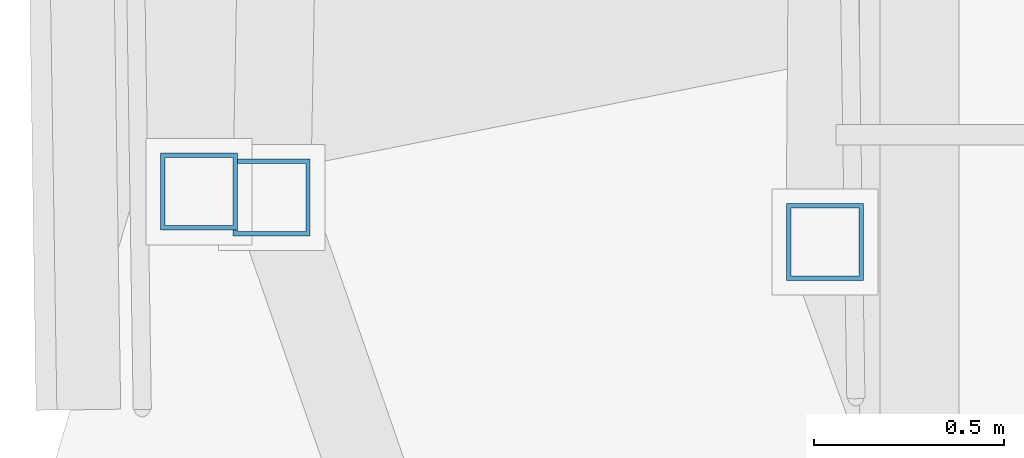
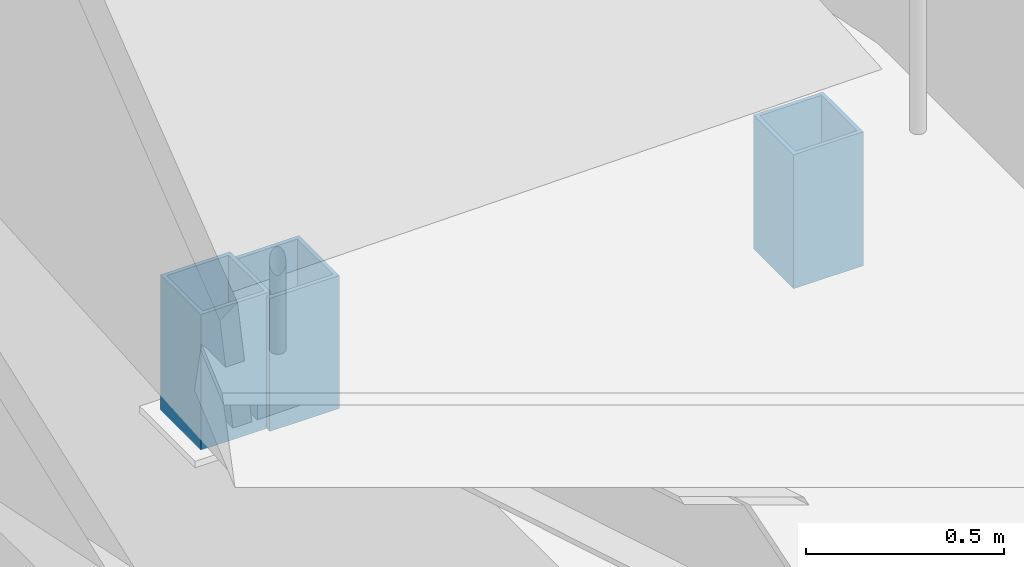
# One storey, part 64 of 119: 3 members.
"""IFC4 building model written with IfcOpenShell, lengths in metres."""

import ifcopenshell
import ifcopenshell.guid

model = None  # the IFC model being written
_history = None  # IfcOwnerHistory: only IFC2X3 demands one
_inside = {}  # id of a spatial element -> (the spatial element, [elements in it])
_under = {}  # id of a project, library or spatial element -> (it, [spatial elements below it])
_declared = {}  # id of a project -> (the project, [libraries it declares])
_typed = {}  # id of a type object -> (the type object, [elements of that type])
_made_of = {}  # id of a material, layer set ... -> (it, [elements and type objects made of it])


def new_model(schema):
    """Start an empty IFC model of exactly this schema.

    Asked for "IFC4X3", IfcOpenShell would pick the latest addendum, in which some entities
    have other attributes; the version numbers below select the first issue.
    IFC2X3 requires an IfcOwnerHistory on every rooted entity: one is made here for all.
    """
    global model, _history
    if schema == "IFC4X3":
        model = ifcopenshell.file(schema_version=(4, 3, 0, 0))
    else:
        model = ifcopenshell.file(schema=schema)
    _inside.clear()
    _under.clear()
    _declared.clear()
    _typed.clear()
    _made_of.clear()
    _history = None
    if model.schema == "IFC2X3":
        org = make("IfcOrganization", Name="unknown")
        user = make(
            "IfcPersonAndOrganization",
            ThePerson=make("IfcPerson", FamilyName="unknown"),
            TheOrganization=org,
        )
        app = make(
            "IfcApplication",
            ApplicationDeveloper=org,
            Version="unknown",
            ApplicationFullName="unknown",
            ApplicationIdentifier="unknown",
        )
        _history = make(
            "IfcOwnerHistory",
            OwningUser=user,
            OwningApplication=app,
            ChangeAction="ADDED",
            CreationDate=0,
        )
    return model


def make(cls, **values):
    """One entity of the class cls with the attributes given. An attribute that is None is left unset."""
    return model.create_entity(
        cls, **{name: value for name, value in values.items() if value is not None}
    )


def rooted(cls, **values):
    """An entity with a GlobalId (a new one), such as an element, a storey or a relation."""
    return make(cls, GlobalId=ifcopenshell.guid.new(), OwnerHistory=_history, **values)


def si_unit(unit_type, name, prefix=None):
    """IfcSIUnit, for example si_unit("LENGTHUNIT", "METRE", prefix="MILLI")."""
    return make("IfcSIUnit", UnitType=unit_type, Prefix=prefix, Name=name)


def derived_unit(unit_type, elements):
    """IfcDerivedUnit: a product of units, each with its exponent."""
    return make(
        "IfcDerivedUnit",
        Elements=[
            make("IfcDerivedUnitElement", Unit=unit, Exponent=power)
            for unit, power in elements
        ],
        UnitType=unit_type,
    )


def assignment(units):
    """IfcUnitAssignment: the units of a project."""
    return None if units is None else make("IfcUnitAssignment", Units=units)


def point(xyz):
    """IfcCartesianPoint."""
    return None if xyz is None else make("IfcCartesianPoint", Coordinates=xyz)


def direction(xyz):
    """IfcDirection."""
    return None if xyz is None else make("IfcDirection", DirectionRatios=xyz)


def frame(location, z_axis=None, x_axis=None):
    """IfcAxis2Placement3D, a coordinate frame: its origin and axes. An axis left out is left unset."""
    return make(
        "IfcAxis2Placement3D",
        Location=point(location),
        Axis=direction(z_axis),
        RefDirection=direction(x_axis),
    )


def frame_2d(location, x_axis=None):
    """IfcAxis2Placement2D, a coordinate frame in the plane: its origin and x axis."""
    return make(
        "IfcAxis2Placement2D", Location=point(location), RefDirection=direction(x_axis)
    )


def origin():
    """The frame at (0, 0, 0) with its axes left unset."""
    return frame((0.0, 0.0, 0.0))


def origin_2d():
    """The frame at (0, 0) in the plane with its x axis left unset."""
    return frame_2d((0.0, 0.0))


def place(relative_to, where):
    """IfcLocalPlacement: puts the frame where relative to a parent placement (None: the world)."""
    return make(
        "IfcLocalPlacement", PlacementRelTo=relative_to, RelativePlacement=where
    )


def context(
    kind, dimensions, precision=None, world=None, true_north=None, identifier=None
):
    """IfcGeometricRepresentationContext, for example the 3D "Model" context."""
    return make(
        "IfcGeometricRepresentationContext",
        ContextIdentifier=identifier,
        ContextType=kind,
        CoordinateSpaceDimension=dimensions,
        Precision=precision,
        WorldCoordinateSystem=world,
        TrueNorth=true_north,
    )


def subcontext(parent, identifier, kind, view, scale=None):
    """IfcGeometricRepresentationSubContext, for example "Body" below "Model"."""
    return make(
        "IfcGeometricRepresentationSubContext",
        ContextIdentifier=identifier,
        ContextType=kind,
        ParentContext=parent,
        TargetScale=scale,
        TargetView=view,
    )


def project(units=None, contexts=None):
    """IfcProject with its units and contexts."""
    return rooted(
        "IfcProject",
        Name="project",
        RepresentationContexts=contexts,
        UnitsInContext=assignment(units),
    )


def spatial(cls, under=None, at=None, **own):
    """A site, building, storey or space (cls), placed at a placement, below another one or the project."""
    s = rooted(cls, ObjectPlacement=at, **own)
    if under is not None:
        _under.setdefault(under.id(), (under, []))[1].append(s)
    return s


def profile(cls, at=None, kind="AREA", **sizes):
    """A parametric profile (cls). Its sizes go by their IFC names, for example OverallWidth=200.0."""
    return make(cls, ProfileType=kind, Position=at, **sizes)


def hollow_rectangle(**sizes):
    """IfcRectangleHollowProfileDef."""
    return profile("IfcRectangleHollowProfileDef", **sizes)


def extrude(swept, where, along, depth):
    """IfcExtrudedAreaSolid: the profile swept, set in the frame where, extruded along a direction by depth."""
    return make(
        "IfcExtrudedAreaSolid",
        SweptArea=swept,
        Position=where,
        ExtrudedDirection=direction(along),
        Depth=depth,
    )


def shape(context_of_items, identifier, shape_type, items):
    """IfcShapeRepresentation: the items that make up one representation, for example the "Body"."""
    return make(
        "IfcShapeRepresentation",
        ContextOfItems=context_of_items,
        RepresentationIdentifier=identifier,
        RepresentationType=shape_type,
        Items=items,
    )


def material(Name=None, Category=None):
    """IfcMaterial."""
    return make("IfcMaterial", Name=Name, Category=Category)


def material_profile(
    of_material, cross_section, Name=None, Category=None, Priority=None
):
    """IfcMaterialProfile: a cross section and its material."""
    return make(
        "IfcMaterialProfile",
        Name=Name,
        Material=of_material,
        Profile=cross_section,
        Priority=Priority,
        Category=Category,
    )


def profile_set(profiles, Name=None, composite=None):
    """IfcMaterialProfileSet."""
    return make(
        "IfcMaterialProfileSet",
        Name=Name,
        MaterialProfiles=profiles,
        CompositeProfile=composite,
    )


def made_of(thing, what):
    """Note that an element or type object is made of a material, layer set ...; save() writes the relation."""
    if what is not None:
        _made_of.setdefault(what.id(), (what, []))[1].append(thing)
    return thing


def type_object(cls, material=None, **own):
    """A type object (cls), such as IfcWallType, which elements share."""
    return made_of(rooted(cls, **own), material)


def element(
    cls,
    number,
    at=None,
    inside=None,
    cuts=None,
    type_object=None,
    material=None,
    context=None,
    identifier="Body",
    shape_type=None,
    held_by="IfcProductDefinitionShape",
    body=None,
    shapes=None,
    **own,
):
    """One element of the class cls, such as IfcWall. Its Tag is "e" and its number.

    at: its placement. inside: the storey or other place that contains it. cuts: it is an
    opening in that element (IfcRelVoidsElement). A single representation is given by context,
    identifier, shape_type and body (its items); several are given by shapes. held_by: the class
    of the entity that holds the representations. save() writes the other relations.
    """
    e = rooted(cls, Tag="e%d" % number, ObjectPlacement=at, **own)
    if body is not None:
        shapes = [shape(context, identifier, shape_type, body)]
    if shapes is not None:
        e.Representation = make(held_by, Representations=shapes)
    if inside is not None:
        _inside.setdefault(inside.id(), (inside, []))[1].append(e)
    if cuts is not None:
        rooted(
            "IfcRelVoidsElement", RelatingBuildingElement=cuts, RelatedOpeningElement=e
        )
    if type_object is not None:
        _typed.setdefault(type_object.id(), (type_object, []))[1].append(e)
    return made_of(e, material)


def aggregate(whole, parts):
    """IfcRelAggregates: a whole, such as a stair, and the parts it consists of."""
    return rooted("IfcRelAggregates", RelatingObject=whole, RelatedObjects=parts)


def save(model, path):
    """Write the relations noted so far, then the file.

    IfcRelAggregates (storeys below a building ...), IfcRelContainedInSpatialStructure (elements
    in a storey), IfcRelDefinesByType, IfcRelAssociatesMaterial and IfcRelDeclares: one each for
    every whole, place, type object, material and project.
    """
    for whole, parts in _under.values():
        aggregate(whole, parts)
    for where, things in _inside.values():
        rooted(
            "IfcRelContainedInSpatialStructure",
            RelatedElements=things,
            RelatingStructure=where,
        )
    for kind, things in _typed.values():
        rooted("IfcRelDefinesByType", RelatedObjects=things, RelatingType=kind)
    for what, things in _made_of.values():
        rooted("IfcRelAssociatesMaterial", RelatedObjects=things, RelatingMaterial=what)
    for by, libraries in _declared.values():
        rooted("IfcRelDeclares", RelatingContext=by, RelatedDefinitions=libraries)
    model.write(path)


model = new_model("IFC4")

# Units and contexts
model_context = context("Model", 3, precision=1e-05, world=origin(), true_north=direction((0.0, 1.0)))
body_context = subcontext(model_context, "Body", "Model", "MODEL_VIEW")
ifc_project = project(units=[si_unit("LENGTHUNIT", "METRE"), si_unit("AREAUNIT", "SQUARE_METRE"), si_unit("VOLUMEUNIT", "CUBIC_METRE"), si_unit("PLANEANGLEUNIT", "RADIAN"), si_unit("MASSUNIT", "GRAM", prefix="KILO"), derived_unit("THERMALTRANSMITTANCEUNIT", [(si_unit("MASSUNIT", "GRAM", prefix="KILO"), 1), (si_unit("TIMEUNIT", "SECOND"), -3), (si_unit("THERMODYNAMICTEMPERATUREUNIT", "KELVIN"), -1)])], contexts=[model_context])

# Site, building, storey
site_placement = place(None, origin())
site = spatial("IfcSite", under=ifc_project, at=site_placement, CompositionType="ELEMENT")
building_placement = place(site_placement, origin())
building = spatial("IfcBuilding", under=site, at=building_placement, Name="Makaiwela Harbour Ferry Terminal", CompositionType="ELEMENT")
storey_placement = place(building_placement, origin())
storey = spatial("IfcBuildingStorey", under=building, at=storey_placement, Name="L00", CompositionType="ELEMENT", Elevation=0.0)

# Members
ifc_material = material(Name="Steel ASTM A500 Grade C", Category="steel")
ifc_material_profile = material_profile(ifc_material, hollow_rectangle(XDim=0.202880859375, YDim=0.202880859375, WallThickness=0.01171875, at=origin_2d()), Name="HSS8X8X1/2")
ifc_profile_set = profile_set([ifc_material_profile], Name="Steel ASTM A500 Grade C")
member_type = type_object("IfcMemberType", Name="STR-PST-HSS8", PredefinedType="POST", material=ifc_profile_set)
member_1_placement = place(storey_placement, frame((15.011962890625, 64.5888671875, 0.050048828125), z_axis=(0.0, 0.0, 1.0), x_axis=(1.0, 0.0, 0.0)))
element("IfcMember", 1, at=member_1_placement, inside=storey, type_object=member_type, Name="Exterior Ramp Support Post RP-0010", PredefinedType="POST", context=body_context, shape_type="SweptSolid", body=[
    extrude(hollow_rectangle(XDim=0.202880859375, YDim=0.202880859375, WallThickness=0.01171875, at=origin_2d()), origin(), (0.0, 0.0, 1.0), 0.41748046875),
])
member_2_placement = place(storey_placement, frame((15.203369140625, 64.573486328125, 0.050048828125), z_axis=(0.0, 0.0, 1.0), x_axis=(1.0, 0.0, 0.0)))
element("IfcMember", 2, at=member_2_placement, inside=storey, type_object=member_type, Name="Exterior Ramp Support Post RP-0011", PredefinedType="POST", context=body_context, shape_type="SweptSolid", body=[
    extrude(hollow_rectangle(XDim=0.202880859375, YDim=0.202880859375, WallThickness=0.01171875, at=origin_2d()), origin(), (0.0, 0.0, 1.0), 0.409423828125),
])
member_3_placement = place(storey_placement, frame((16.66064453125, 64.456298828125, 0.050048828125), z_axis=(0.0, 0.0, 1.0), x_axis=(1.0, 0.0, 0.0)))
element("IfcMember", 3, at=member_3_placement, inside=storey, type_object=member_type, Name="Exterior Ramp Support Post RP-0020", PredefinedType="POST", context=body_context, shape_type="SweptSolid", body=[
    extrude(hollow_rectangle(XDim=0.202880859375, YDim=0.202880859375, WallThickness=0.01171875, at=origin_2d()), origin(), (0.0, 0.0, 1.0), 0.412353515625),
])

save(model, "model.ifc")
